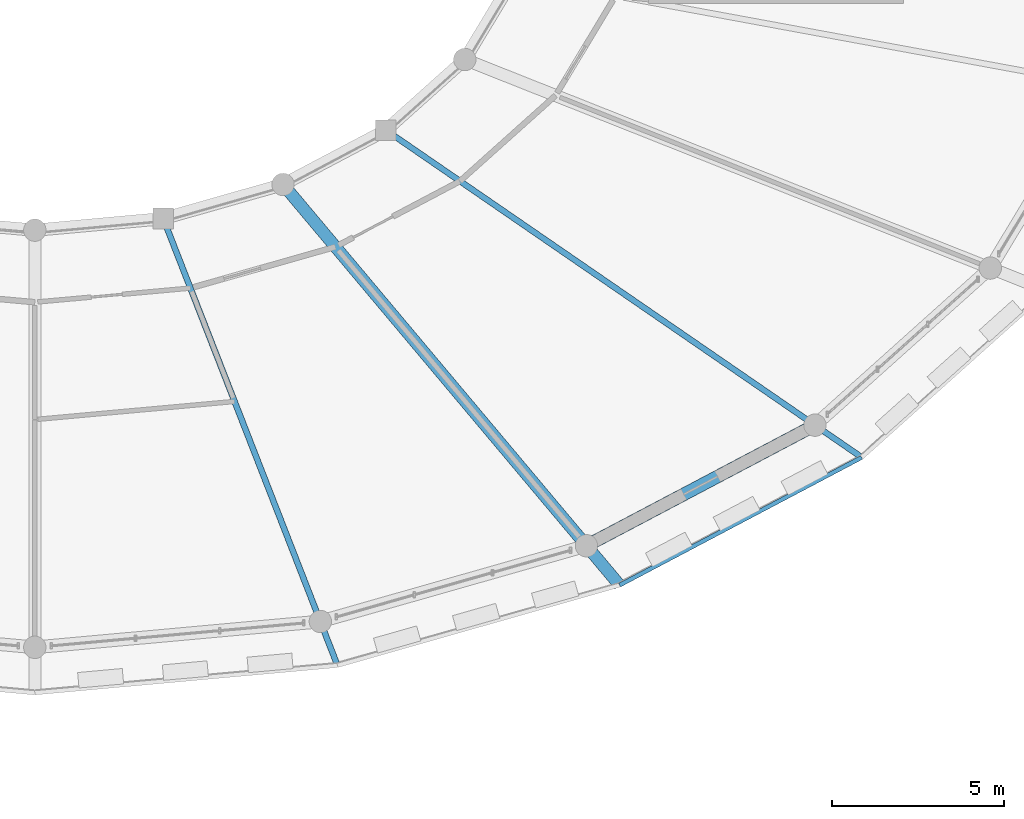
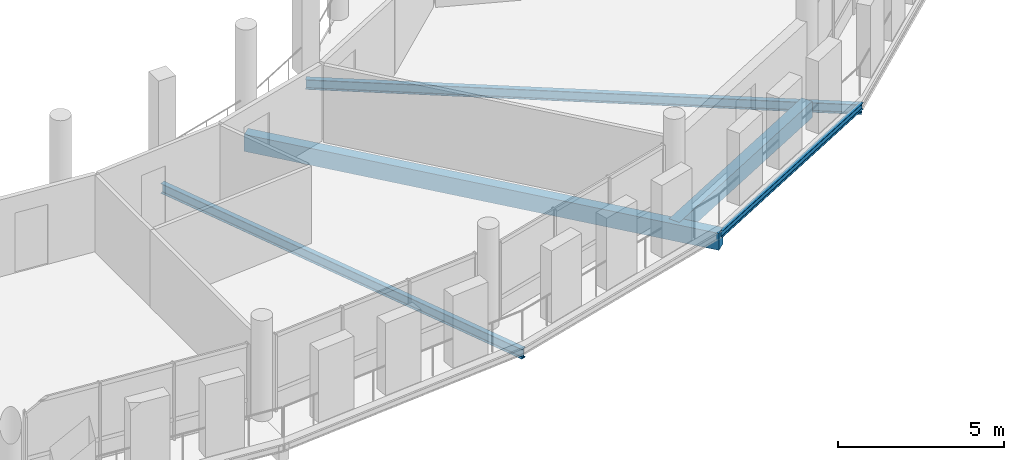
# One storey, part 33 of 84: 5 beams.
"""IFC4 building model written with IfcOpenShell, lengths in metres."""

from ifc_helpers import new_model, si_unit, direction, frame, origin, origin_2d, place, context, subcontext, project, spatial, rectangle, i_section, extrude, material, material_profile, profile_set, type_object, element, save


model = new_model("IFC4")

# Units and contexts
model_context = context("Model", 3, precision=1e-05, world=origin(), true_north=direction((0.0, 1.0)))
body_context = subcontext(model_context, "Body", "Model", "MODEL_VIEW")
ifc_project = project(units=[si_unit("LENGTHUNIT", "METRE"), si_unit("AREAUNIT", "SQUARE_METRE"), si_unit("VOLUMEUNIT", "CUBIC_METRE"), si_unit("PLANEANGLEUNIT", "RADIAN"), si_unit("MASSUNIT", "GRAM", prefix="KILO")], contexts=[model_context])

# Site, building, storey
site_placement = place(None, origin())
site = spatial("IfcSite", under=ifc_project, at=site_placement, CompositionType="ELEMENT")
building_placement = place(site_placement, origin())
building = spatial("IfcBuilding", under=site, at=building_placement, Name="Zornivar Specialist Clinic", CompositionType="ELEMENT")
storey_placement = place(building_placement, frame((0.0, 0.0, 12.300048828125)))
storey = spatial("IfcBuildingStorey", under=building, at=storey_placement, Name="L03", CompositionType="ELEMENT", Elevation=12.300048828125)

# Beams
ifc_material_1 = material(Name="Concrete C30/37", Category="concrete")
ifc_material_profile_1 = material_profile(ifc_material_1, rectangle(XDim=0.35009765625, YDim=0.6201171875, at=origin_2d()), Name="RC 350x620")
ifc_profile_set_1 = profile_set([ifc_material_profile_1], Name="Concrete C30/37")
beam_type_1 = type_object("IfcBeamType", Name="BM-RC-CANT-350x620", PredefinedType="BEAM", material=ifc_profile_set_1)
beam_1_placement = place(storey_placement, frame((100.800048828125, 49.02587890625, -0.550048828125), z_axis=(0.643102291661, -0.765780283411, 0.0), x_axis=(0.765780283411, 0.643102291661, 0.0)))
element("IfcBeam", 1, at=beam_1_placement, inside=storey, type_object=beam_type_1, Name="bm:V1:L03:radcant:20", PredefinedType="BEAM", context=body_context, shape_type="SweptSolid", body=[
    extrude(rectangle(XDim=0.35009765625, YDim=0.6201171875, at=origin_2d()), origin(), (0.0, 0.0, 1.0), 15.176513671875),
])
ifc_material_2 = material(Name="Concrete C30/37", Category="concrete")
ifc_material_profile_2 = material_profile(ifc_material_2, rectangle(XDim=0.3701171875, YDim=0.60009765625, at=origin_2d()), Name="RC 370x600")
ifc_profile_set_2 = profile_set([ifc_material_profile_2], Name="Concrete C30/37")
beam_type_2 = type_object("IfcBeamType", Name="BM-RC-SPANDREL-370x600", PredefinedType="SPANDREL", material=ifc_profile_set_2)
beam_2_placement = place(storey_placement, frame((109.60009765625, 38.547119140625, -0.5400390625), z_axis=(0.884425099405, 0.466682165443, 0.0), x_axis=(-0.466682165443, 0.884425099405, 0.0)))
element("IfcBeam", 2, at=beam_2_placement, inside=storey, type_object=beam_type_2, Name="bm:V1:L03:outring:20", PredefinedType="SPANDREL", context=body_context, shape_type="SweptSolid", body=[
    extrude(rectangle(XDim=0.3701171875, YDim=0.60009765625, at=origin_2d()), origin(), (0.0, 0.0, 1.0), 7.492919921875),
])
ifc_material_3 = material(Name="Steel S355J2", Category="steel")
ifc_material_profile_3 = material_profile(ifc_material_3, i_section(OverallWidth=0.1201171875, OverallDepth=0.239990234375, WebThickness=0.006103515625, FlangeThickness=0.009765625, FilletRadius=0.014892578125, at=origin_2d()), Name="IPE 240")
ifc_profile_set_3 = profile_set([ifc_material_profile_3], Name="Steel S355J2")
beam_type_3 = type_object("IfcBeamType", Name="BM-STL-IPE240", PredefinedType="JOIST", material=ifc_profile_set_3)
beam_3_placement = place(storey_placement, frame((110.56005859375, 37.404052734375, -0.360107421875), z_axis=(0.88446439618, 0.466607685202, 0.0), x_axis=(-0.466607685202, 0.88446439618, 0.0)))
element("IfcBeam", 3, at=beam_3_placement, inside=storey, type_object=beam_type_3, Name="bm:V1:L03:balring:20", PredefinedType="JOIST", context=body_context, shape_type="SweptSolid", body=[
    extrude(i_section(OverallWidth=0.1201171875, OverallDepth=0.239990234375, WebThickness=0.006103515625, FlangeThickness=0.009765625, FilletRadius=0.014892578125, at=origin_2d()), origin(), (0.0, 0.0, 1.0), 7.942626953125),
])
ifc_material_4 = material(Name="Steel S355J2", Category="steel")
ifc_material_profile_4 = material_profile(ifc_material_4, i_section(OverallWidth=0.169921875, OverallDepth=0.360107421875, WebThickness=0.008056640625, FlangeThickness=0.0126953125, FilletRadius=0.01806640625, at=origin_2d()), Name="IPE 360")
ifc_profile_set_4 = profile_set([ifc_material_profile_4], Name="Steel S355J2")
beam_type_4 = type_object("IfcBeamType", Name="BM-STL-IPE360", PredefinedType="BEAM", material=ifc_profile_set_4)
beam_4_placement = place(storey_placement, frame((97.326904296875, 48.037109375, -0.469970703125), z_axis=(0.363143135914, -0.931733364669, 0.0), x_axis=(0.931733364669, 0.363143135914, 0.0)))
element("IfcBeam", 4, at=beam_4_placement, inside=storey, type_object=beam_type_4, Name="bm:V1:L03:radmid:19", PredefinedType="BEAM", context=body_context, shape_type="SweptSolid", body=[
    extrude(i_section(OverallWidth=0.169921875, OverallDepth=0.360107421875, WebThickness=0.008056640625, FlangeThickness=0.0126953125, FilletRadius=0.01806640625, at=origin_2d()), origin(), (0.0, 0.0, 1.0), 13.911865234375),
])
beam_5_placement = place(storey_placement, frame((103.781982421875, 50.60009765625, -0.469970703125), z_axis=(0.82402959127, -0.566546761276, 0.0), x_axis=(0.566546761276, 0.82402959127, 0.0)))
element("IfcBeam", 5, at=beam_5_placement, inside=storey, type_object=beam_type_4, Name="bm:V1:L03:radmid:21", PredefinedType="BEAM", context=body_context, shape_type="SweptSolid", body=[
    extrude(i_section(OverallWidth=0.169921875, OverallDepth=0.360107421875, WebThickness=0.008056640625, FlangeThickness=0.0126953125, FilletRadius=0.01806640625, at=origin_2d()), origin(), (0.0, 0.0, 1.0), 16.75048828125),
])

save(model, "model.ifc")
